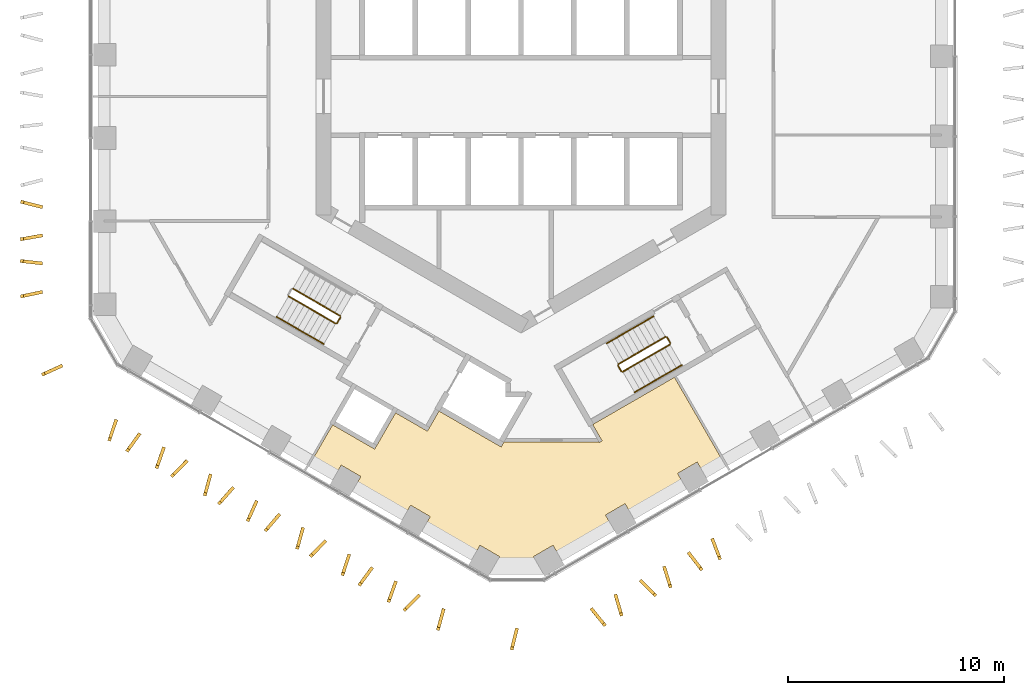
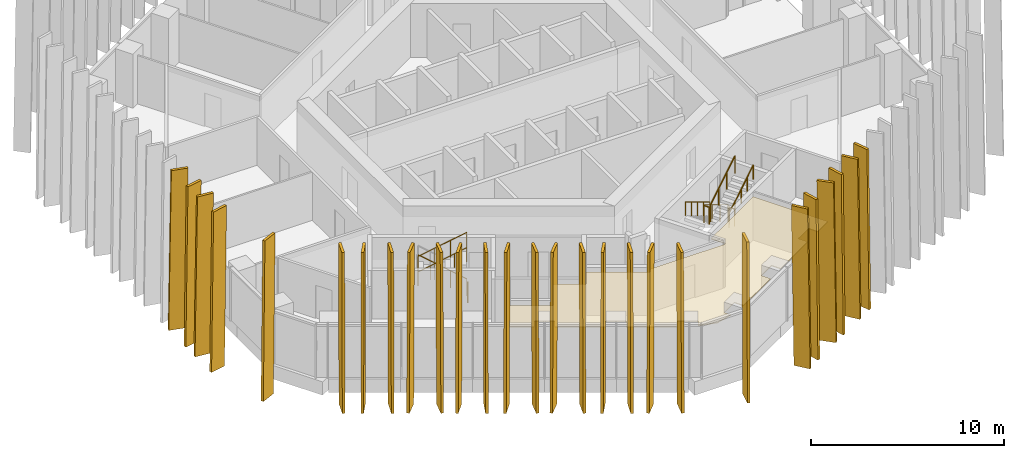
# One storey, part 16 of 19: 27 shading devices, 13 railings, 1 covering.
"""IFC4 building model written with IfcOpenShell, lengths in metres."""

from ifc_helpers import new_model, si_unit, direction, frame, origin, origin_2d, place, context, subcontext, project, spatial, polyline, circle, outline, extrude, material, layer, layer_set, type_object, element, save


model = new_model("IFC4")

# Units and contexts
model_context = context("Model", 3, precision=1e-05, world=origin(), true_north=direction((0.0, 1.0)))
body_context = subcontext(model_context, "Body", "Model", "MODEL_VIEW")
ifc_project = project(units=[si_unit("LENGTHUNIT", "METRE"), si_unit("AREAUNIT", "SQUARE_METRE"), si_unit("VOLUMEUNIT", "CUBIC_METRE"), si_unit("PLANEANGLEUNIT", "RADIAN"), si_unit("MASSUNIT", "GRAM", prefix="KILO")], contexts=[model_context])

# Site, building, storey
site_placement = place(None, origin())
site = spatial("IfcSite", under=ifc_project, at=site_placement, CompositionType="ELEMENT")
building_placement = place(site_placement, origin())
building = spatial("IfcBuilding", under=site, at=building_placement, Name="Ayvan Gate Tower", CompositionType="ELEMENT")
storey_placement = place(building_placement, frame((0.0, 0.0, 93.300048828125)))
storey = spatial("IfcBuildingStorey", under=building, at=storey_placement, Name="L24", CompositionType="ELEMENT", Elevation=93.300048828125)

# Shading devices
ifc_material_1 = material(Name="Bronze anodised aluminium", Category="aluminium")
ifc_layer_1 = layer(ifc_material_1, 0.14990234375)
ifc_layer_set_1 = layer_set([ifc_layer_1], Name="Bronze anodised aluminium")
shading_device_type = type_object("IfcShadingDeviceType", Name="Bronze fin 900 x 150", PredefinedType="USERDEFINED", material=ifc_layer_set_1)
shading_device_1_placement = place(storey_placement, frame((-22.282470703125, -5.025390625, 0.0), z_axis=(0.244322723758, 0.969693964142, 0.000150205573), x_axis=(-0.96969397508, 0.244322726517, -1.9759e-08)))
element("IfcShadingDevice", 1, at=shading_device_1_placement, inside=storey, type_object=shading_device_type, Name="Bronze fin FG08.3.28", ObjectType="FIN", PredefinedType="USERDEFINED", context=body_context, shape_type="SweptSolid", body=[
    extrude(outline(polyline([(0.0, 0.0), (0.899858653205395, 0.0), (0.7574484227438885, 10.0798341130503), (-0.14235058135835305, 10.079834077491558), (0.0, 0.0)])), origin(), (0.0, 0.0, -1.0), 0.14990234375),
])
shading_device_2_placement = place(storey_placement, frame((-22.31640625, -6.392822265625, 0.0), z_axis=(-0.174969053509, 0.98457392203, 0.000149577198), x_axis=(-0.984573933044, -0.174969055465, -3.549e-09)))
element("IfcShadingDevice", 2, at=shading_device_2_placement, inside=storey, type_object=shading_device_type, Name="Bronze fin FG08.3.29", ObjectType="FIN", PredefinedType="USERDEFINED", context=body_context, shape_type="SweptSolid", body=[
    extrude(outline(polyline([(0.0, 0.0), (0.9001119183897854, 3.3881317890172014e-21), (0.7575553360418693, 10.079834099823543), (-0.14231620785254412, 10.079834093434899), (0.0, 0.0)])), origin(), (0.0, 0.0, -1.0), 0.14990234375),
])
shading_device_3_placement = place(storey_placement, frame((-22.296630859375, -7.649169921875, 0.0), z_axis=(0.111235481039, 0.993794065962, 0.000149055033), x_axis=(-0.993794077001, 0.111235482274, 0.0)))
element("IfcShadingDevice", 3, at=shading_device_3_placement, inside=storey, type_object=shading_device_type, Name="Bronze fin FG08.3.30", ObjectType="FIN", PredefinedType="USERDEFINED", context=body_context, shape_type="SweptSolid", body=[
    extrude(outline(polyline([(0.0, 0.0), (0.8998716435031368, -1.6940658945086007e-21), (0.7574633207918755, 10.07983409634887), (-0.1424083227112613, 10.07983409634887), (0.0, 0.0)])), origin(), (0.0, 0.0, -1.0), 0.14990234375),
])
shading_device_4_placement = place(storey_placement, frame((-22.317626953125, -9.011962890625, 0.0), z_axis=(-0.206249663488, 0.978499389696, 0.000143789265), x_axis=(-0.978499399811, -0.206249665623, 1.9078e-08)))
element("IfcShadingDevice", 4, at=shading_device_4_placement, inside=storey, type_object=shading_device_type, Name="Bronze fin FG08.3.31", ObjectType="FIN", PredefinedType="USERDEFINED", context=body_context, shape_type="SweptSolid", body=[
    extrude(outline(polyline([(0.0, 0.0), (0.9002397046037672, 0.0), (0.7578032835700479, 10.079834074119491), (-0.14238606711144824, 10.079834108468557), (0.0, 0.0)])), origin(), (0.0, 0.0, -1.0), 0.14990234375),
])
shading_device_5_placement = place(storey_placement, frame((-21.405029296875, -12.458251953125, 0.0), z_axis=(-0.413813158499, 0.910361822302, 0.000149495103), x_axis=(-0.910361832476, -0.41381316312, -1.846e-08)))
element("IfcShadingDevice", 5, at=shading_device_5_placement, inside=storey, type_object=shading_device_type, Name="Bronze fin FG08.4.32", ObjectType="FIN", PredefinedType="USERDEFINED", context=body_context, shape_type="SweptSolid", body=[
    extrude(outline(polyline([(0.0, 0.0), (0.8999607869986923, 0.0), (0.7577562674202288, 10.079834110999075), (-0.14230554818274077, 10.07983407777098), (0.0, 0.0)])), origin(), (0.0, 0.0, -1.0), 0.14990234375),
])
shading_device_6_placement = place(storey_placement, frame((-18.865234375, -15.083740234375, 0.0), z_axis=(-0.947920910113, 0.318505766592, 0.000157534753), x_axis=(-0.318505770544, -0.947920921876, 0.0)))
element("IfcShadingDevice", 6, at=shading_device_6_placement, inside=storey, type_object=shading_device_type, Name="Bronze fin FG08.5.33", ObjectType="FIN", PredefinedType="USERDEFINED", context=body_context, shape_type="SweptSolid", body=[
    extrude(outline(polyline([(0.0, 0.0), (0.8998929383919106, 6.776263578034403e-21), (0.7574472509167872, 10.079834109451623), (-0.14244568747512348, 10.079834109451623), (0.0, 0.0)])), origin(), (0.0, 0.0, -1.0), 0.14990234375),
])
shading_device_7_placement = place(storey_placement, frame((-17.7958984375, -15.67822265625, 0.0), z_axis=(-0.812200130796, 0.583378884862, 0.000155668111), x_axis=(-0.583378891928, -0.812200140638, 1.7151e-08)))
element("IfcShadingDevice", 7, at=shading_device_7_placement, inside=storey, type_object=shading_device_type, Name="Bronze fin FG08.5.34", ObjectType="FIN", PredefinedType="USERDEFINED", context=body_context, shape_type="SweptSolid", body=[
    extrude(outline(polyline([(0.0, 0.0), (0.8999003512490824, 1.3552527156068805e-20), (0.7575665925283988, 10.079834093512403), (-0.1424761852079707, 10.07983412438244), (0.0, 0.0)])), origin(), (0.0, 0.0, -1.0), 0.14990234375),
])
shading_device_8_placement = place(storey_placement, frame((-16.65673828125, -16.358154296875, 0.0), z_axis=(-0.94387103363, 0.33031416598, 0.000153710302), x_axis=(-0.330314169885, -0.943871044779, -1.968e-08)))
element("IfcShadingDevice", 8, at=shading_device_8_placement, inside=storey, type_object=shading_device_type, Name="Bronze fin FG08.5.35", ObjectType="FIN", PredefinedType="USERDEFINED", context=body_context, shape_type="SweptSolid", body=[
    extrude(outline(polyline([(0.0, 0.0), (0.899914556569307, -6.776263578034403e-21), (0.7575867575280039, 10.079834118361688), (-0.1422471559334209, 10.079834082942693), (0.0, 0.0)])), origin(), (0.0, 0.0, -1.0), 0.14990234375),
])
shading_device_9_placement = place(storey_placement, frame((-15.615478515625, -16.9189453125, 0.0), z_axis=(-0.714124680834, 0.700018514299, 0.000140935251), x_axis=(-0.700018521251, -0.714124687926, 2.7e-10)))
element("IfcShadingDevice", 9, at=shading_device_9_placement, inside=storey, type_object=shading_device_type, Name="Bronze fin FG08.5.36", ObjectType="FIN", PredefinedType="USERDEFINED", context=body_context, shape_type="SweptSolid", body=[
    extrude(outline(polyline([(0.0, 0.0), (0.8998105379514405, 0.0), (0.7575676202156755, 10.079834084277268), (-0.14258816754269313, 10.079834084762727), (0.0, 0.0)])), origin(), (0.0, 0.0, -1.0), 0.14990234375),
])
shading_device_10_placement = place(storey_placement, frame((-14.487548828125, -17.61328125, 0.0), z_axis=(-0.964248708914, 0.26499887162, 0.000159364332), x_axis=(-0.264998874985, -0.964248721159, 0.0)))
element("IfcShadingDevice", 10, at=shading_device_10_placement, inside=storey, type_object=shading_device_type, Name="Bronze fin FG08.5.37", ObjectType="FIN", PredefinedType="USERDEFINED", context=body_context, shape_type="SweptSolid", body=[
    extrude(outline(polyline([(0.0, 0.0), (0.9000996349073335, 6.776263578034403e-21), (0.7576171272308782, 10.079834112373725), (-0.14248250767645534, 10.079834112373725), (0.0, 0.0)])), origin(), (0.0, 0.0, -1.0), 0.14990234375),
])
shading_device_11_placement = place(storey_placement, frame((-13.46875, -18.1650390625, 0.0), z_axis=(-0.750700056101, 0.660643174935, 0.000145538681), x_axis=(-0.660643181932, -0.750700064051, -1.777e-09)))
element("IfcShadingDevice", 11, at=shading_device_11_placement, inside=storey, type_object=shading_device_type, Name="Bronze fin FG08.5.38", ObjectType="FIN", PredefinedType="USERDEFINED", context=body_context, shape_type="SweptSolid", body=[
    extrude(outline(polyline([(0.0, 0.0), (0.9002110762892095, 0.0), (0.7577660708860792, 10.07983409247482), (-0.14210043918096635, 10.079834089275542), (0.0, 0.0)])), origin(), (0.0, 0.0, -1.0), 0.14990234375),
])
shading_device_12_placement = place(storey_placement, frame((-12.3662109375, -18.830322265625, 0.0), z_axis=(-0.91201283498, 0.410161631912, 0.000156650793), x_axis=(-0.410161636945, -0.91201284617, 0.0)))
element("IfcShadingDevice", 12, at=shading_device_12_placement, inside=storey, type_object=shading_device_type, Name="Bronze fin FG08.5.39", ObjectType="FIN", PredefinedType="USERDEFINED", context=body_context, shape_type="SweptSolid", body=[
    extrude(outline(polyline([(0.0, 0.0), (0.8999881796590448, 6.776263578034403e-21), (0.7576677703144873, 10.079834108051898), (-0.14232040934455747, 10.079834108051898), (0.0, 0.0)])), origin(), (0.0, 0.0, -1.0), 0.14990234375),
])
shading_device_13_placement = place(storey_placement, frame((-11.324951171875, -19.40478515625, 0.0), z_axis=(-0.760652703373, 0.649159029662, 0.000138058283), x_axis=(-0.649159035848, -0.760652710622, 0.0)))
element("IfcShadingDevice", 13, at=shading_device_13_placement, inside=storey, type_object=shading_device_type, Name="Bronze fin FG08.5.40", ObjectType="FIN", PredefinedType="USERDEFINED", context=body_context, shape_type="SweptSolid", body=[
    extrude(outline(polyline([(0.0, 0.0), (0.8999774837326424, 0.0), (0.7575665698157595, 10.079834080436271), (-0.14241091391688288, 10.079834080436271), (0.0, 0.0)])), origin(), (0.0, 0.0, -1.0), 0.14990234375),
])
shading_device_14_placement = place(storey_placement, frame((-10.203369140625, -20.086669921875, 0.0), z_axis=(-0.962652033376, 0.270741645571, 0.000154890953), x_axis=(-0.27074164882, -0.962652044923, -5.689e-09)))
element("IfcShadingDevice", 14, at=shading_device_14_placement, inside=storey, type_object=shading_device_type, Name="Bronze fin FG08.5.41", ObjectType="FIN", PredefinedType="USERDEFINED", context=body_context, shape_type="SweptSolid", body=[
    extrude(outline(polyline([(0.0, 0.0), (0.8998265676046838, -6.776263578034403e-21), (0.7576087066676269, 10.079834109598698), (-0.14245288340896198, 10.079834099359218), (0.0, 0.0)])), origin(), (0.0, 0.0, -1.0), 0.14990234375),
])
shading_device_15_placement = place(storey_placement, frame((-9.18798828125, -20.62890625, 0.0), z_axis=(-0.710421863471, 0.703776069024, 0.000143427086), x_axis=(-0.703776076265, -0.710421870777, -1.3818e-08)))
element("IfcShadingDevice", 15, at=shading_device_15_placement, inside=storey, type_object=shading_device_type, Name="Bronze fin FG08.5.42", ObjectType="FIN", PredefinedType="USERDEFINED", context=body_context, shape_type="SweptSolid", body=[
    extrude(outline(polyline([(0.0, 0.0), (0.9001205560230299, 1.3552527156068805e-20), (0.7577034151081635, 10.07983409852302), (-0.14224532058374711, 10.079834073648994), (0.0, 0.0)])), origin(), (0.0, 0.0, -1.0), 0.14990234375),
])
shading_device_16_placement = place(storey_placement, frame((-8.06689453125, -21.318115234375, 0.0), z_axis=(-0.949062391315, 0.315088171363, 0.00014716973), x_axis=(-0.315088174777, -0.949062401592, -1.2653e-08)))
element("IfcShadingDevice", 16, at=shading_device_16_placement, inside=storey, type_object=shading_device_type, Name="Bronze fin FG08.5.43", ObjectType="FIN", PredefinedType="USERDEFINED", context=body_context, shape_type="SweptSolid", body=[
    extrude(outline(polyline([(0.0, 0.0), (0.9001225103177516, 6.776263578034403e-21), (0.7576054885167521, 10.079834103120302), (-0.1422083912891907, 10.079834080345444), (0.0, 0.0)])), origin(), (0.0, 0.0, -1.0), 0.14990234375),
])
shading_device_17_placement = place(storey_placement, frame((-7.032470703125, -21.8916015625, 0.0), z_axis=(-0.807361288416, 0.590057393248, 0.000150465934), x_axis=(-0.590057399927, -0.807361297556, 0.0)))
element("IfcShadingDevice", 17, at=shading_device_17_placement, inside=storey, type_object=shading_device_type, Name="Bronze fin FG08.5.44", ObjectType="FIN", PredefinedType="USERDEFINED", context=body_context, shape_type="SweptSolid", body=[
    extrude(outline(polyline([(0.0, 0.0), (0.8999223794843821, 0.0), (0.7575962665612372, 10.079834098478708), (-0.1423261129231448, 10.079834098478708), (0.0, 0.0)])), origin(), (0.0, 0.0, -1.0), 0.14990234375),
])
shading_device_18_placement = place(storey_placement, frame((-5.91064453125, -22.56201171875, 0.0), z_axis=(-0.94104637335, 0.338277551907, 0.00014519323), x_axis=(-0.338277555473, -0.941046383269, 0.0)))
element("IfcShadingDevice", 18, at=shading_device_18_placement, inside=storey, type_object=shading_device_type, Name="Bronze fin FG08.5.45", ObjectType="FIN", PredefinedType="USERDEFINED", context=body_context, shape_type="SweptSolid", body=[
    extrude(outline(polyline([(0.0, 0.0), (0.899980960750526, 0.0), (0.7575437743713682, 10.079834090621866), (-0.14243718637915784, 10.079834090621866), (0.0, 0.0)])), origin(), (0.0, 0.0, -1.0), 0.14990234375),
])
shading_device_19_placement = place(storey_placement, frame((-4.851318359375, -23.134033203125, 0.0), z_axis=(-0.716337355741, 0.697754091636, 0.000142740725), x_axis=(-0.697754098746, -0.716337363037, -1.3511e-08)))
element("IfcShadingDevice", 19, at=shading_device_19_placement, inside=storey, type_object=shading_device_type, Name="Bronze fin FG08.5.46", ObjectType="FIN", PredefinedType="USERDEFINED", context=body_context, shape_type="SweptSolid", body=[
    extrude(outline(polyline([(0.0, 0.0), (0.8998423291975208, 0.0), (0.757599940682894, 10.079834097298965), (-0.1424172755661494, 10.079834072980702), (0.0, 0.0)])), origin(), (0.0, 0.0, -1.0), 0.14990234375),
])
shading_device_20_placement = place(storey_placement, frame((-3.689697265625, -23.847412109375, 0.0), z_axis=(-0.964578912599, 0.263794429838, 0.000141973537), x_axis=(-0.263794432499, -0.964578922319, -1.8573e-08)))
element("IfcShadingDevice", 20, at=shading_device_20_placement, inside=storey, type_object=shading_device_type, Name="Bronze fin FG08.5.47", ObjectType="FIN", PredefinedType="USERDEFINED", context=body_context, shape_type="SweptSolid", body=[
    extrude(outline(polyline([(0.0, 0.0), (0.9000768141085729, -1.3552527156068805e-20), (0.7576606394422992, 10.079834100033839), (-0.14235177172865193, 10.079834066601276), (0.0, 0.0)])), origin(), (0.0, 0.0, -1.0), 0.14990234375),
])
shading_device_21_placement = place(storey_placement, frame((-0.292724609375, -24.75146484375, 0.0), z_axis=(-0.97057977015, 0.240779747312, 0.000151858187), x_axis=(-0.240779750086, -0.970579781341, 1.5036e-08)))
element("IfcShadingDevice", 21, at=shading_device_21_placement, inside=storey, type_object=shading_device_type, Name="Bronze fin FG08.6.48", ObjectType="FIN", PredefinedType="USERDEFINED", context=body_context, shape_type="SweptSolid", body=[
    extrude(outline(polyline([(0.0, 0.0), (0.8997401162558856, 6.776263578034403e-21), (0.7575135001929458, 10.079834089210026), (-0.1425223581360421, 10.079834116271629), (0.0, 0.0)])), origin(), (0.0, 0.0, -1.0), 0.14990234375),
])
shading_device_22_placement = place(storey_placement, frame((3.279541015625, -23.874267578125, 0.0), z_axis=(-0.778547708131, -0.627585408627, 0.000145060689), x_axis=(0.627585415229, -0.778547716323, -1.532e-08)))
element("IfcShadingDevice", 22, at=shading_device_22_placement, inside=storey, type_object=shading_device_type, Name="Bronze fin FG08.7.49", ObjectType="FIN", PredefinedType="USERDEFINED", context=body_context, shape_type="SweptSolid", body=[
    extrude(outline(polyline([(0.0, 0.0), (0.8999113797050399, 0.0), (0.757544724072513, 10.079834102033203), (-0.1425198747280416, 10.079834074458427), (0.0, 0.0)])), origin(), (0.0, 0.0, -1.0), 0.14990234375),
])
shading_device_23_placement = place(storey_placement, frame((4.337890625, -23.2265625, 0.0), z_axis=(-0.958949828637, -0.283575744828, 0.000151991742), x_axis=(0.283575748102, -0.958949839715, -1.3924e-08)))
element("IfcShadingDevice", 23, at=shading_device_23_placement, inside=storey, type_object=shading_device_type, Name="Bronze fin FG08.7.50", ObjectType="FIN", PredefinedType="USERDEFINED", context=body_context, shape_type="SweptSolid", body=[
    extrude(outline(polyline([(0.0, 0.0), (0.8999571142961938, 0.0), (0.7576084866367346, 10.079834111353255), (-0.14265197863304724, 10.079834086287683), (0.0, 0.0)])), origin(), (0.0, 0.0, -1.0), 0.14990234375),
])
shading_device_24_placement = place(storey_placement, frame((5.561767578125, -22.561279296875, 0.0), z_axis=(-0.707513585385, -0.706699727733, 0.000146008274), x_axis=(0.706699735266, -0.707513592926, 0.0)))
element("IfcShadingDevice", 24, at=shading_device_24_placement, inside=storey, type_object=shading_device_type, Name="Bronze fin FG08.7.51", ObjectType="FIN", PredefinedType="USERDEFINED", context=body_context, shape_type="SweptSolid", body=[
    extrude(outline(polyline([(0.0, 0.0), (0.899938540214543, 0.0), (0.7575150391797174, 10.07983409181805), (-0.1424235010348256, 10.07983409181805), (0.0, 0.0)])), origin(), (0.0, 0.0, -1.0), 0.14990234375),
])
shading_device_25_placement = place(storey_placement, frame((6.594482421875, -21.925537109375, 0.0), z_axis=(-0.954533043752, -0.298105090959, 0.00015208648), x_axis=(0.298105094406, -0.954533054791, 0.0)))
element("IfcShadingDevice", 25, at=shading_device_25_placement, inside=storey, type_object=shading_device_type, Name="Bronze fin FG08.7.52", ObjectType="FIN", PredefinedType="USERDEFINED", context=body_context, shape_type="SweptSolid", body=[
    extrude(outline(polyline([(0.0, 0.0), (0.9000535445709814, 0.0), (0.7575570520200691, 10.07983410094978), (-0.14249649255091235, 10.07983410094978), (0.0, 0.0)])), origin(), (0.0, 0.0, -1.0), 0.14990234375),
])
shading_device_26_placement = place(storey_placement, frame((7.7734375, -21.2783203125, 0.0), z_axis=(-0.79264919015, -0.609677979077, 0.000152260932), x_axis=(0.609677986146, -0.792649199337, 1.6368e-08)))
element("IfcShadingDevice", 26, at=shading_device_26_placement, inside=storey, type_object=shading_device_type, Name="Bronze fin FG08.7.53", ObjectType="FIN", PredefinedType="USERDEFINED", context=body_context, shape_type="SweptSolid", body=[
    extrude(outline(polyline([(0.0, 0.0), (0.9000676448529691, 0.0), (0.7576431272189837, 10.079834088816018), (-0.14227567046939882, 10.079834118278793), (0.0, 0.0)])), origin(), (0.0, 0.0, -1.0), 0.14990234375),
])
shading_device_27_placement = place(storey_placement, frame((8.83251953125, -20.641357421875, 0.0), z_axis=(-0.93306214084, -0.359715190799, 0.000151129291), x_axis=(0.359715194906, -0.933062151496, -7.373e-09)))
element("IfcShadingDevice", 27, at=shading_device_27_placement, inside=storey, type_object=shading_device_type, Name="Bronze fin FG08.7.54", ObjectType="FIN", PredefinedType="USERDEFINED", context=body_context, shape_type="SweptSolid", body=[
    extrude(outline(polyline([(0.0, 0.0), (0.900077184958613, -6.776263578034403e-21), (0.7575558956438063, 10.079834105072399), (-0.1422934909379767, 10.07983409180174), (0.0, 0.0)])), origin(), (0.0, 0.0, -1.0), 0.14990234375),
])

# Covering
ifc_material_2 = material(Name="Plasterboard suspended ceiling")
ifc_layer_2 = layer(ifc_material_2, 0.050048828125)
ifc_layer_set_2 = layer_set([ifc_layer_2], Name="Plasterboard suspended ceiling")
covering_type = type_object("IfcCoveringType", Name="CT-SUSP-50", PredefinedType="CEILING", material=ifc_layer_set_2)
covering_placement = place(storey_placement, frame((0.0, 0.0, 2.699951171875)))
element("IfcCovering", 28, at=covering_placement, inside=storey, type_object=covering_type, Name="Ceiling Shared Kitchen L24", PredefinedType="CEILING", context=body_context, shape_type="SweptSolid", body=[
    extrude(outline(polyline([(-6.77880859375, -16.341064453125), (-6.688720703125, -16.18505859375), (-5.80810546875, -14.659912109375), (-4.3359375, -15.510009765625), (-4.245849609375, -15.35400390625), (-4.235595703125, -15.33642578125), (-3.798583984375, -14.5791015625), (-3.775390625, -14.59228515625), (-0.9189453125, -16.24169921875), (-0.803955078125, -16.042236328125), (-0.7841796875, -16.008056640625), (3.581298828125, -16.008056640625), (3.581298828125, -15.953125), (3.62890625, -16.03564453125), (3.7587890625, -15.960693359375), (3.320556640625, -15.201416015625), (3.346435546875, -15.186279296875), (7.109375, -13.013916015625), (9.3505859375, -16.895751953125), (8.439208984375, -17.422119140625), (8.161865234375, -16.941650390625), (7.25244140625, -17.466796875), (7.52978515625, -17.947021484375), (5.49755859375, -19.120361328125), (5.100341796875, -19.349609375), (4.822998046875, -18.869384765625), (3.913818359375, -19.394287109375), (4.191162109375, -19.874755859375), (1.76171875, -21.277099609375), (1.484375, -20.796875), (0.5751953125, -21.322021484375), (0.77978515625, -21.676513671875), (-0.177978515625, -21.93310546875), (-1.187255859375, -21.66259765625), (-0.990478515625, -21.322021484375), (-1.89990234375, -20.796875), (-2.162353515625, -21.251708984375), (-3.50732421875, -20.47509765625), (-4.467041015625, -19.9208984375), (-4.20458984375, -19.46630859375), (-5.114013671875, -18.94140625), (-5.37646484375, -19.39599609375), (-7.68115234375, -18.065185546875), (-7.418701171875, -17.610595703125), (-8.327880859375, -17.085693359375), (-8.59033203125, -17.540283203125), (-9.699462890625, -16.89990234375), (-8.727294921875, -15.216064453125), (-8.683837890625, -15.240966796875), (-6.77880859375, -16.341064453125)])), origin(), (0.0, 0.0, 1.0), 0.050048828125),
])

# Railings
ifc_material_3 = material(Name="Stainless steel balustrade", Category="steel")
railing_type_1 = type_object("IfcRailingType", Name="RL-GUARD-1100", PredefinedType="GUARDRAIL", material=ifc_material_3)
railing_1_placement = place(storey_placement, frame((-8.381103515625, -10.16650390625, 0.169921875)))
element("IfcRailing", 29, at=railing_1_placement, inside=storey, type_object=railing_type_1, Name="L24 STS2 stair guard 1", PredefinedType="GUARDRAIL", context=body_context, shape_type="SweptSolid", body=[
    extrude(circle(Radius=0.02392578125, at=origin_2d()), frame((0.0, 0.0, 1.076171875), z_axis=(-0.740261155115, 0.427395438142, 0.518986090067), x_axis=(-0.500004791531, -0.866022637375, 0.0)), (0.0, 0.0, 1.0), 2.947998046875),
    extrude(circle(Radius=0.02099609375, at=origin_2d()), origin(), (0.0, 0.0, 1.0), 1.052001953125),
    extrude(circle(Radius=0.02099609375, at=origin_2d()), frame((-0.7275390625, 0.419921875, 0.510009765625)), (0.0, 0.0, 1.0), 1.052001953125),
    extrude(circle(Radius=0.02099609375, at=origin_2d()), frame((-1.454833984375, 0.840087890625, 1.02001953125)), (0.0, 0.0, 1.0), 1.052001953125),
    extrude(circle(Radius=0.02099609375, at=origin_2d()), frame((-2.182373046875, 1.260009765625, 1.530029296875)), (0.0, 0.0, 1.0), 1.052001953125),
])
railing_2_placement = place(storey_placement, frame((-10.7685546875, -9.261474609375, 1.869873046875)))
element("IfcRailing", 30, at=railing_2_placement, inside=storey, type_object=railing_type_1, Name="L24 STS2 stair guard 3", PredefinedType="GUARDRAIL", context=body_context, shape_type="SweptSolid", body=[
    extrude(circle(Radius=0.02392578125, at=origin_2d()), frame((0.0, 0.0, 1.076171875), z_axis=(0.740261155115, -0.427395438142, 0.518986090067), x_axis=(0.500004791531, 0.866022637375, 0.0)), (0.0, 0.0, 1.0), 2.947998046875),
    extrude(circle(Radius=0.02099609375, at=origin_2d()), origin(), (0.0, 0.0, 1.0), 1.052001953125),
    extrude(circle(Radius=0.02099609375, at=origin_2d()), frame((0.7275390625, -0.419921875, 0.510009765625)), (0.0, 0.0, 1.0), 1.052001953125),
    extrude(circle(Radius=0.02099609375, at=origin_2d()), frame((1.454833984375, -0.840087890625, 1.02001953125)), (0.0, 0.0, 1.0), 1.052001953125),
    extrude(circle(Radius=0.02099609375, at=origin_2d()), frame((2.182373046875, -1.260009765625, 1.530029296875)), (0.0, 0.0, 1.0), 1.052001953125),
])
railing_3_placement = place(storey_placement, frame((-8.36279296875, -10.23486328125, 0.0)))
element("IfcRailing", 31, at=railing_3_placement, inside=storey, type_object=railing_type_1, Name="L24 STS2 stair guard 4", PredefinedType="GUARDRAIL", context=body_context, shape_type="SweptSolid", body=[
    extrude(circle(Radius=0.02392578125, at=origin_2d()), frame((0.0, 0.0, 1.076171875), z_axis=(-0.500290723946, -0.86585748916, 0.0), x_axis=(0.86585748916, -0.500290723946, 0.0)), (0.0, 0.0, 1.0), 0.309814453125),
    extrude(circle(Radius=0.02099609375, at=origin_2d()), origin(), (0.0, 0.0, 1.0), 1.052001953125),
    extrude(circle(Radius=0.02099609375, at=origin_2d()), frame((-0.155029296875, -0.268310546875, 0.0)), (0.0, 0.0, 1.0), 1.052001953125),
])
railing_4_placement = place(storey_placement, frame((6.6923828125, -11.1416015625, 0.169921875)))
element("IfcRailing", 32, at=railing_4_placement, inside=storey, type_object=railing_type_1, Name="L24 STS3 stair guard 1", PredefinedType="GUARDRAIL", context=body_context, shape_type="SweptSolid", body=[
    extrude(circle(Radius=0.02392578125, at=origin_2d()), frame((0.0, 0.0, 1.076171875), z_axis=(-0.740261155115, -0.427395438142, 0.518986090067), x_axis=(0.500004791531, -0.866022637375, 0.0)), (0.0, 0.0, 1.0), 2.947998046875),
    extrude(circle(Radius=0.02099609375, at=origin_2d()), origin(), (0.0, 0.0, 1.0), 1.052001953125),
    extrude(circle(Radius=0.02099609375, at=origin_2d()), frame((-0.7275390625, -0.419921875, 0.510009765625)), (0.0, 0.0, 1.0), 1.052001953125),
    extrude(circle(Radius=0.02099609375, at=origin_2d()), frame((-1.454833984375, -0.840087890625, 1.02001953125)), (0.0, 0.0, 1.0), 1.052001953125),
    extrude(circle(Radius=0.02099609375, at=origin_2d()), frame((-2.182373046875, -1.260009765625, 1.530029296875)), (0.0, 0.0, 1.0), 1.052001953125),
])
railing_5_placement = place(storey_placement, frame((4.49169921875, -12.4697265625, 1.699951171875)))
element("IfcRailing", 33, at=railing_5_placement, inside=storey, type_object=railing_type_1, Name="L24 STS3 stair guard 2", PredefinedType="GUARDRAIL", context=body_context, shape_type="SweptSolid", body=[
    extrude(circle(Radius=0.02392578125, at=origin_2d()), frame((0.0, 0.0, 1.076171875), z_axis=(0.499949632511, -0.866054481515, 0.0), x_axis=(0.866054481515, 0.499949632511, 0.0)), (0.0, 0.0, 1.0), 0.31005859375),
    extrude(circle(Radius=0.02099609375, at=origin_2d()), origin(), (0.0, 0.0, 1.0), 1.052001953125),
    extrude(circle(Radius=0.02099609375, at=origin_2d()), frame((0.155029296875, -0.2685546875, 0.0)), (0.0, 0.0, 1.0), 1.052001953125),
])
railing_6_placement = place(storey_placement, frame((4.715087890625, -12.756591796875, 1.869873046875)))
element("IfcRailing", 34, at=railing_6_placement, inside=storey, type_object=railing_type_1, Name="L24 STS3 stair guard 3", PredefinedType="GUARDRAIL", context=body_context, shape_type="SweptSolid", body=[
    extrude(circle(Radius=0.02392578125, at=origin_2d()), frame((0.0, 0.0, 1.076171875), z_axis=(0.740261155115, 0.427395438142, 0.518986090067), x_axis=(-0.500004791531, 0.866022637375, 0.0)), (0.0, 0.0, 1.0), 2.947998046875),
    extrude(circle(Radius=0.02099609375, at=origin_2d()), origin(), (0.0, 0.0, 1.0), 1.052001953125),
    extrude(circle(Radius=0.02099609375, at=origin_2d()), frame((0.7275390625, 0.419921875, 0.510009765625)), (0.0, 0.0, 1.0), 1.052001953125),
    extrude(circle(Radius=0.02099609375, at=origin_2d()), frame((1.454833984375, 0.840087890625, 1.02001953125)), (0.0, 0.0, 1.0), 1.052001953125),
    extrude(circle(Radius=0.02099609375, at=origin_2d()), frame((2.182373046875, 1.260009765625, 1.530029296875)), (0.0, 0.0, 1.0), 1.052001953125),
])
railing_7_placement = place(storey_placement, frame((6.7607421875, -11.159912109375, 0.0)))
element("IfcRailing", 35, at=railing_7_placement, inside=storey, type_object=railing_type_1, Name="L24 STS3 stair guard 4", PredefinedType="GUARDRAIL", context=body_context, shape_type="SweptSolid", body=[
    extrude(circle(Radius=0.02392578125, at=origin_2d()), frame((0.0, 0.0, 1.076171875), z_axis=(0.500290723946, -0.86585748916, 0.0), x_axis=(0.86585748916, 0.500290723946, 0.0)), (0.0, 0.0, 1.0), 0.309814453125),
    extrude(circle(Radius=0.02099609375, at=origin_2d()), origin(), (0.0, 0.0, 1.0), 1.052001953125),
    extrude(circle(Radius=0.02099609375, at=origin_2d()), frame((0.155029296875, -0.268310546875, 0.0)), (0.0, 0.0, 1.0), 1.052001953125),
])
railing_type_2 = type_object("IfcRailingType", Name="RL-HANDRAIL-900", PredefinedType="HANDRAIL", material=ifc_material_3)
railing_8_placement = place(storey_placement, frame((-11.318603515625, -10.214111328125, 1.869873046875)))
element("IfcRailing", 36, at=railing_8_placement, inside=storey, type_object=railing_type_2, Name="L24 STS2 stair handrail 3", PredefinedType="HANDRAIL", context=body_context, shape_type="SweptSolid", body=[
    extrude(circle(Radius=0.02392578125, at=origin_2d()), frame((0.0, 0.0, 0.8759765625), z_axis=(0.740240574041, -0.427418550694, 0.518996411419), x_axis=(0.500035496587, 0.86600490885, 0.0)), (0.0, 0.0, 1.0), 1.474365234375),
    extrude(circle(Radius=0.02099609375, at=origin_2d()), origin(), (0.0, 0.0, 1.0), 0.851806640625),
    extrude(circle(Radius=0.02099609375, at=origin_2d()), frame((0.545654296875, -0.31494140625, 0.382568359375)), (0.0, 0.0, 1.0), 0.851806640625),
    extrude(circle(Radius=0.02099609375, at=origin_2d()), frame((1.09130859375, -0.630126953125, 0.76513671875)), (0.0, 0.0, 1.0), 0.851806640625),
])
railing_9_placement = place(storey_placement, frame((-10.227294921875, -10.84423828125, 2.635009765625)))
element("IfcRailing", 37, at=railing_9_placement, inside=storey, type_object=railing_type_2, Name="L24 STS2 stair handrail 4", PredefinedType="HANDRAIL", context=body_context, shape_type="SweptSolid", body=[
    extrude(circle(Radius=0.02392578125, at=origin_2d()), frame((0.0, 0.0, 0.8759765625), z_axis=(0.740356597536, -0.427319915356, 0.518912129772), x_axis=(0.499890179513, 0.866088799389, 0.0)), (0.0, 0.0, 1.0), 1.47412109375),
    extrude(circle(Radius=0.02099609375, at=origin_2d()), origin(), (0.0, 0.0, 1.0), 0.851806640625),
    extrude(circle(Radius=0.02099609375, at=origin_2d()), frame((0.545654296875, -0.31494140625, 0.38232421875)), (0.0, 0.0, 1.0), 0.851806640625),
    extrude(circle(Radius=0.02099609375, at=origin_2d()), frame((1.09130859375, -0.6298828125, 0.764892578125)), (0.0, 0.0, 1.0), 0.851806640625),
])
railing_10_placement = place(storey_placement, frame((6.142333984375, -10.18896484375, 0.169921875)))
element("IfcRailing", 38, at=railing_10_placement, inside=storey, type_object=railing_type_2, Name="L24 STS3 stair handrail 1", PredefinedType="HANDRAIL", context=body_context, shape_type="SweptSolid", body=[
    extrude(circle(Radius=0.02392578125, at=origin_2d()), frame((0.0, 0.0, 0.8759765625), z_axis=(-0.740218099111, -0.427335577468, 0.519096782863), x_axis=(0.499974077718, -0.866040369504, 0.0)), (0.0, 0.0, 1.0), 1.473876953125),
    extrude(circle(Radius=0.02099609375, at=origin_2d()), origin(), (0.0, 0.0, 1.0), 0.851806640625),
    extrude(circle(Radius=0.02099609375, at=origin_2d()), frame((-0.54541015625, -0.31494140625, 0.382568359375)), (0.0, 0.0, 1.0), 0.851806640625),
    extrude(circle(Radius=0.02099609375, at=origin_2d()), frame((-1.091064453125, -0.6298828125, 0.76513671875)), (0.0, 0.0, 1.0), 0.851806640625),
])
railing_11_placement = place(storey_placement, frame((5.05126953125, -10.81884765625, 0.93505859375)))
element("IfcRailing", 39, at=railing_11_placement, inside=storey, type_object=railing_type_2, Name="L24 STS3 stair handrail 2", PredefinedType="HANDRAIL", context=body_context, shape_type="SweptSolid", body=[
    extrude(circle(Radius=0.02392578125, at=origin_2d()), frame((0.0, 0.0, 0.8759765625), z_axis=(-0.740304193401, -0.427455284825, 0.518875399983), x_axis=(0.500035496587, -0.86600490885, 0.0)), (0.0, 0.0, 1.0), 1.47412109375),
    extrude(circle(Radius=0.02099609375, at=origin_2d()), origin(), (0.0, 0.0, 1.0), 0.851806640625),
    extrude(circle(Radius=0.02099609375, at=origin_2d()), frame((-0.545654296875, -0.31494140625, 0.38232421875)), (0.0, 0.0, 1.0), 0.851806640625),
    extrude(circle(Radius=0.02099609375, at=origin_2d()), frame((-1.09130859375, -0.630126953125, 0.764892578125)), (0.0, 0.0, 1.0), 0.851806640625),
])
railing_12_placement = place(storey_placement, frame((5.264892578125, -13.709228515625, 1.869873046875)))
element("IfcRailing", 40, at=railing_12_placement, inside=storey, type_object=railing_type_2, Name="L24 STS3 stair handrail 3", PredefinedType="HANDRAIL", context=body_context, shape_type="SweptSolid", body=[
    extrude(circle(Radius=0.02392578125, at=origin_2d()), frame((0.0, 0.0, 0.8759765625), z_axis=(0.740240574041, 0.427418550694, 0.518996411419), x_axis=(-0.500035496587, 0.86600490885, 0.0)), (0.0, 0.0, 1.0), 1.474365234375),
    extrude(circle(Radius=0.02099609375, at=origin_2d()), origin(), (0.0, 0.0, 1.0), 0.851806640625),
    extrude(circle(Radius=0.02099609375, at=origin_2d()), frame((0.545654296875, 0.31494140625, 0.382568359375)), (0.0, 0.0, 1.0), 0.851806640625),
    extrude(circle(Radius=0.02099609375, at=origin_2d()), frame((1.09130859375, 0.630126953125, 0.76513671875)), (0.0, 0.0, 1.0), 0.851806640625),
])
railing_13_placement = place(storey_placement, frame((6.356201171875, -13.0791015625, 2.635009765625)))
element("IfcRailing", 41, at=railing_13_placement, inside=storey, type_object=railing_type_2, Name="L24 STS3 stair handrail 4", PredefinedType="HANDRAIL", context=body_context, shape_type="SweptSolid", body=[
    extrude(circle(Radius=0.02392578125, at=origin_2d()), frame((0.0, 0.0, 0.8759765625), z_axis=(0.740281741151, 0.427372318678, 0.518975765278), x_axis=(-0.499974077718, 0.866040369504, 0.0)), (0.0, 0.0, 1.0), 1.473876953125),
    extrude(circle(Radius=0.02099609375, at=origin_2d()), origin(), (0.0, 0.0, 1.0), 0.851806640625),
    extrude(circle(Radius=0.02099609375, at=origin_2d()), frame((0.54541015625, 0.31494140625, 0.38232421875)), (0.0, 0.0, 1.0), 0.851806640625),
    extrude(circle(Radius=0.02099609375, at=origin_2d()), frame((1.091064453125, 0.6298828125, 0.764892578125)), (0.0, 0.0, 1.0), 0.851806640625),
])

save(model, "model.ifc")
